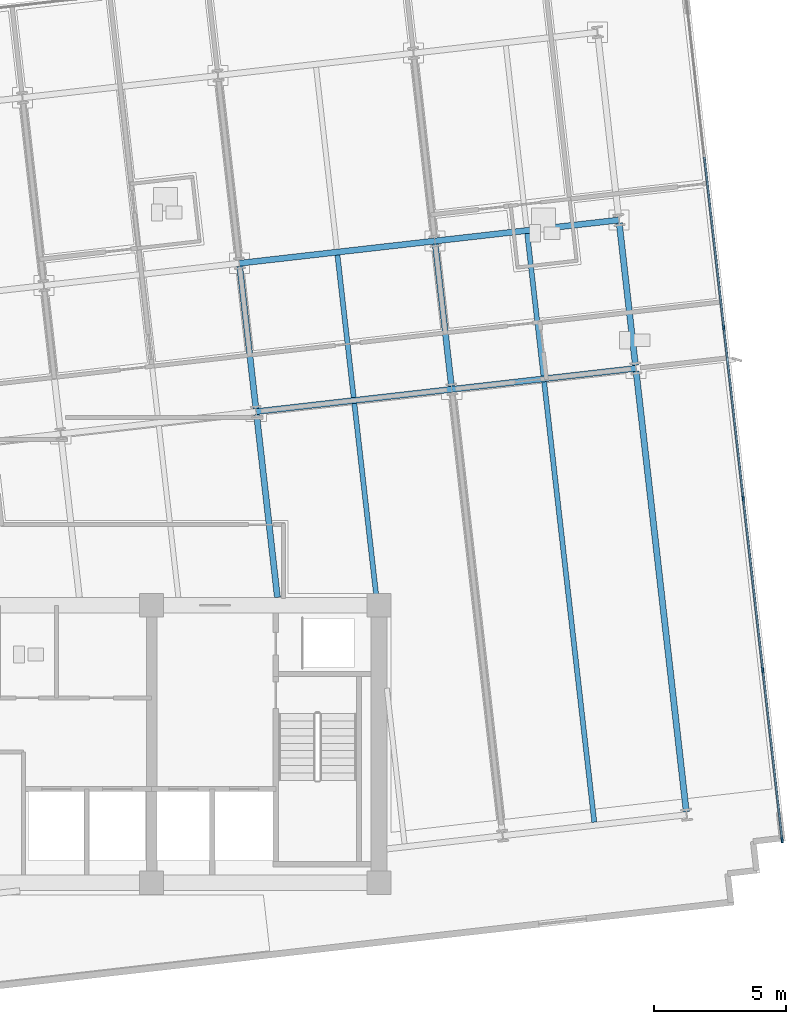
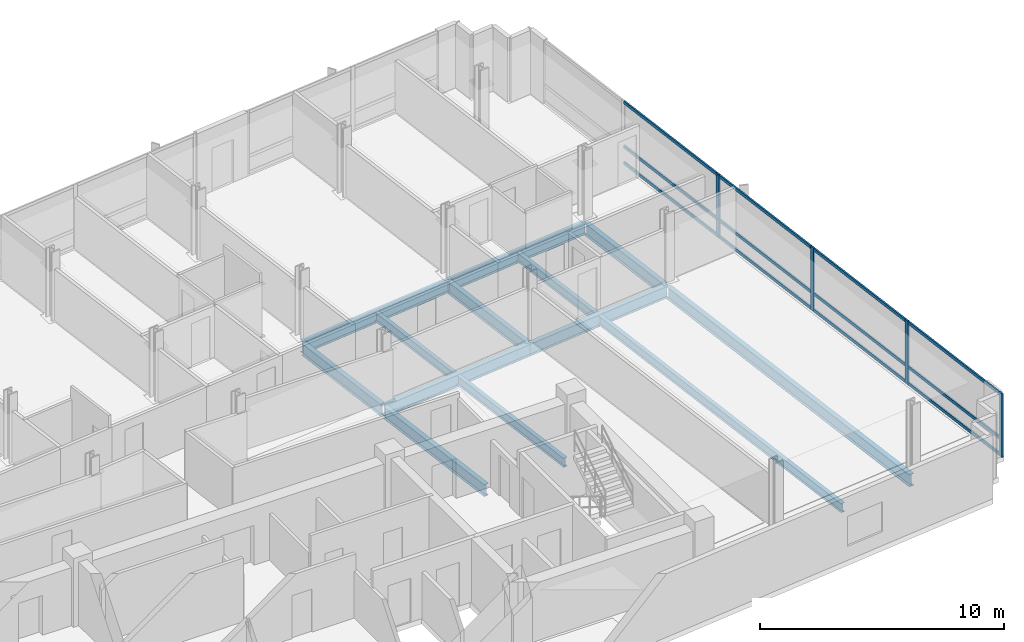
# One storey, part 4 of 16: 16 members, 13 beams, 1 element without a shape of its own.
"""IFC4 building model written with IfcOpenShell, lengths in metres."""

from ifc_helpers import new_model, si_unit, direction, frame, origin, origin_2d, place, context, subcontext, project, spatial, rectangle, i_section, extrude, material, material_profile, profile_set, type_object, element, aggregate, save


model = new_model("IFC4")

# Units and contexts
model_context = context("Model", 3, precision=1e-05, world=origin(), true_north=direction((0.0, 1.0)))
body_context = subcontext(model_context, "Body", "Model", "MODEL_VIEW")
ifc_project = project(units=[si_unit("LENGTHUNIT", "METRE"), si_unit("AREAUNIT", "SQUARE_METRE"), si_unit("VOLUMEUNIT", "CUBIC_METRE"), si_unit("PLANEANGLEUNIT", "RADIAN"), si_unit("MASSUNIT", "GRAM", prefix="KILO")], contexts=[model_context])

# Site, building, storey
site_placement = place(None, origin())
site = spatial("IfcSite", under=ifc_project, at=site_placement, CompositionType="ELEMENT")
building_placement = place(site_placement, origin())
building = spatial("IfcBuilding", under=site, at=building_placement, Name="Solmavex Isthmus Hotel", CompositionType="ELEMENT")
storey_placement = place(building_placement, frame((0.0, 0.0, 208.949951171875)))
storey = spatial("IfcBuildingStorey", under=building, at=storey_placement, Name="L56", CompositionType="ELEMENT", Elevation=208.949951171875)

# Beams
ifc_material_1 = material(Name="Steel ASTM A992 Grade 50", Category="steel")
ifc_material_profile_1 = material_profile(ifc_material_1, i_section(OverallWidth=0.1904296875, OverallDepth=0.456787109375, WebThickness=0.009033203125, FlangeThickness=0.014404296875, FilletRadius=0.0126953125, at=origin_2d()), Name="W18X50")
ifc_profile_set_1 = profile_set([ifc_material_profile_1], Name="Steel ASTM A992 Grade 50")
beam_type_1 = type_object("IfcBeamType", Name="BM-BJ-W18X50", PredefinedType="JOIST", material=ifc_profile_set_1)
beam_1_placement = place(storey_placement, frame((15.908447265625, -2.199951171875, -0.48828125), z_axis=(-0.113224925382, 0.99356938171, 0.0), x_axis=(-0.99356938171, -0.113224925382, 0.0)))
element("IfcBeam", 1, at=beam_1_placement, inside=storey, type_object=beam_type_1, Name="Secondary Floor Joist L56-J16", PredefinedType="JOIST", context=body_context, shape_type="SweptSolid", body=[
    extrude(i_section(OverallWidth=0.1904296875, OverallDepth=0.456787109375, WebThickness=0.009033203125, FlangeThickness=0.014404296875, FilletRadius=0.0126953125, at=origin_2d()), origin(), (0.0, 0.0, 1.0), 7.38525390625),
])
beam_2_placement = place(storey_placement, frame((15.046630859375, 5.364013671875, -0.48828125), z_axis=(-0.113189626161, 0.993573403695, 0.0), x_axis=(-0.993573403695, -0.113189626161, 0.0)))
element("IfcBeam", 2, at=beam_2_placement, inside=storey, type_object=beam_type_1, Name="Secondary Floor Joist L56-J17", PredefinedType="JOIST", context=body_context, shape_type="SweptSolid", body=[
    extrude(i_section(OverallWidth=0.1904296875, OverallDepth=0.456787109375, WebThickness=0.009033203125, FlangeThickness=0.014404296875, FilletRadius=0.0126953125, at=origin_2d()), origin(), (0.0, 0.0, 1.0), 5.42041015625),
])
beam_3_placement = place(storey_placement, frame((24.1513671875, -10.707275390625, -0.48828125), z_axis=(-0.113198426291, 0.993572401129, 0.0), x_axis=(-0.993572401129, -0.113198426291, 0.0)))
element("IfcBeam", 3, at=beam_3_placement, inside=storey, type_object=beam_type_1, Name="Secondary Floor Joist L56-J19", PredefinedType="JOIST", context=body_context, shape_type="SweptSolid", body=[
    extrude(i_section(OverallWidth=0.1904296875, OverallDepth=0.456787109375, WebThickness=0.009033203125, FlangeThickness=0.014404296875, FilletRadius=0.0126953125, at=origin_2d()), origin(), (0.0, 0.0, 1.0), 16.77099609375),
])
beam_4_placement = place(storey_placement, frame((22.22705078125, 6.18212890625, -0.48828125), z_axis=(-0.113189626161, 0.993573403695, 0.0), x_axis=(-0.993573403695, -0.113189626161, 0.0)))
element("IfcBeam", 4, at=beam_4_placement, inside=storey, type_object=beam_type_1, Name="Secondary Floor Joist L56-J20", PredefinedType="JOIST", context=body_context, shape_type="SweptSolid", body=[
    extrude(i_section(OverallWidth=0.1904296875, OverallDepth=0.456787109375, WebThickness=0.009033203125, FlangeThickness=0.014404296875, FilletRadius=0.0126953125, at=origin_2d()), origin(), (0.0, 0.0, 1.0), 5.42041015625),
])
ifc_material_profile_2 = material_profile(ifc_material_1, i_section(OverallWidth=0.227783203125, OverallDepth=0.602783203125, WebThickness=0.010498046875, FlangeThickness=0.014892578125, FilletRadius=0.01513671875, at=origin_2d()), Name="W24X68")
ifc_profile_set_2 = profile_set([ifc_material_profile_2], Name="Steel ASTM A992 Grade 50")
beam_type_2 = type_object("IfcBeamType", Name="BM-BM-W24X68", PredefinedType="BEAM", material=ifc_profile_set_2)
beam_5_placement = place(storey_placement, frame((11.3603515625, 4.829345703125, -0.561279296875), z_axis=(0.9935703463, 0.113216460607, 0.0), x_axis=(-0.113216460607, 0.9935703463, 0.0)))
element("IfcBeam", 5, at=beam_5_placement, inside=storey, type_object=beam_type_2, Name="Floor Girder L56-UG10", PredefinedType="BEAM", context=body_context, shape_type="SweptSolid", body=[
    extrude(i_section(OverallWidth=0.227783203125, OverallDepth=0.602783203125, WebThickness=0.010498046875, FlangeThickness=0.014892578125, FilletRadius=0.01513671875, at=origin_2d()), origin(), (0.0, 0.0, 1.0), 7.446044921875),
])
beam_6_placement = place(storey_placement, frame((18.758544921875, 5.67236328125, -0.561279296875), z_axis=(0.99357359356, 0.113187959519, 0.0), x_axis=(-0.113187959519, 0.99357359356, 0.0)))
element("IfcBeam", 6, at=beam_6_placement, inside=storey, type_object=beam_type_2, Name="Floor Girder L56-UG11", PredefinedType="BEAM", context=body_context, shape_type="SweptSolid", body=[
    extrude(i_section(OverallWidth=0.227783203125, OverallDepth=0.602783203125, WebThickness=0.010498046875, FlangeThickness=0.014892578125, FilletRadius=0.01513671875, at=origin_2d()), origin(), (0.0, 0.0, 1.0), 7.0078125),
])
beam_7_placement = place(storey_placement, frame((10.720947265625, 10.441162109375, -0.561279296875), z_axis=(0.993574034044, 0.113184092846, 0.0), x_axis=(-0.113184092846, 0.993574034044, 0.0)))
element("IfcBeam", 7, at=beam_7_placement, inside=storey, type_object=beam_type_2, Name="Floor Girder L56-UG16", PredefinedType="BEAM", context=body_context, shape_type="SweptSolid", body=[
    extrude(i_section(OverallWidth=0.227783203125, OverallDepth=0.602783203125, WebThickness=0.010498046875, FlangeThickness=0.014892578125, FilletRadius=0.01513671875, at=origin_2d()), origin(), (0.0, 0.0, 1.0), 7.446044921875),
])
beam_8_placement = place(storey_placement, frame((18.119140625, 11.283935546875, -0.561279296875), z_axis=(0.993569675103, 0.113222350774, 0.0), x_axis=(-0.113222350774, 0.993569675103, 0.0)))
element("IfcBeam", 8, at=beam_8_placement, inside=storey, type_object=beam_type_2, Name="Floor Girder L56-UG17", PredefinedType="BEAM", context=body_context, shape_type="SweptSolid", body=[
    extrude(i_section(OverallWidth=0.227783203125, OverallDepth=0.602783203125, WebThickness=0.010498046875, FlangeThickness=0.014892578125, FilletRadius=0.01513671875, at=origin_2d()), origin(), (0.0, 0.0, 1.0), 7.008056640625),
])
beam_9_placement = place(storey_placement, frame((12.161376953125, -2.199951171875, -0.561279296875), z_axis=(-0.113214229187, 0.993570600566, 0.0), x_axis=(-0.993570600566, -0.113214229187, 0.0)))
element("IfcBeam", 9, at=beam_9_placement, inside=storey, type_object=beam_type_2, Name="Floor Beam L56-VG37", PredefinedType="BEAM", context=body_context, shape_type="SweptSolid", body=[
    extrude(i_section(OverallWidth=0.227783203125, OverallDepth=0.602783203125, WebThickness=0.010498046875, FlangeThickness=0.014892578125, FilletRadius=0.01513671875, at=origin_2d()), origin(), (0.0, 0.0, 1.0), 6.9609375),
])
beam_10_placement = place(storey_placement, frame((11.347412109375, 4.942626953125, -0.561279296875), z_axis=(-0.113194691868, 0.993572826587, 0.0), x_axis=(-0.993572826587, -0.113194691868, 0.0)))
element("IfcBeam", 10, at=beam_10_placement, inside=storey, type_object=beam_type_2, Name="Floor Beam L56-VG38", PredefinedType="BEAM", context=body_context, shape_type="SweptSolid", body=[
    extrude(i_section(OverallWidth=0.227783203125, OverallDepth=0.602783203125, WebThickness=0.010498046875, FlangeThickness=0.014892578125, FilletRadius=0.01513671875, at=origin_2d()), origin(), (0.0, 0.0, 1.0), 5.420166015625),
])
beam_11_placement = place(storey_placement, frame((18.74560546875, 5.785400390625, -0.561279296875), z_axis=(-0.113189626161, 0.993573403695, 0.0), x_axis=(-0.993573403695, -0.113189626161, 0.0)))
element("IfcBeam", 11, at=beam_11_placement, inside=storey, type_object=beam_type_2, Name="Floor Beam L56-VG41", PredefinedType="BEAM", context=body_context, shape_type="SweptSolid", body=[
    extrude(i_section(OverallWidth=0.227783203125, OverallDepth=0.602783203125, WebThickness=0.010498046875, FlangeThickness=0.014892578125, FilletRadius=0.01513671875, at=origin_2d()), origin(), (0.0, 0.0, 1.0), 5.42041015625),
])
ifc_material_profile_3 = material_profile(ifc_material_1, i_section(OverallWidth=0.230224609375, OverallDepth=0.617431640625, WebThickness=0.01318359375, FlangeThickness=0.022216796875, FilletRadius=0.01513671875, at=origin_2d()), Name="W24X94")
ifc_profile_set_3 = profile_set([ifc_material_profile_3], Name="Steel ASTM A992 Grade 50")
beam_type_3 = type_object("IfcBeamType", Name="BM-SP-W24X94", PredefinedType="SPANDREL", material=ifc_profile_set_3)
beam_12_placement = place(storey_placement, frame((27.6328125, -10.310546875, -0.568603515625), z_axis=(-0.113198426291, 0.993572401129, 0.0), x_axis=(-0.993572401129, -0.113198426291, 0.0)))
element("IfcBeam", 12, at=beam_12_placement, inside=storey, type_object=beam_type_3, Name="Floor Beam L56-VG43", PredefinedType="SPANDREL", context=body_context, shape_type="SweptSolid", body=[
    extrude(i_section(OverallWidth=0.230224609375, OverallDepth=0.617431640625, WebThickness=0.01318359375, FlangeThickness=0.022216796875, FilletRadius=0.01513671875, at=origin_2d()), origin(), (0.0, 0.0, 1.0), 16.77099609375),
])
beam_13_placement = place(storey_placement, frame((25.70849609375, 6.578857421875, -0.568603515625), z_axis=(-0.113194691868, 0.993572826587, 0.0), x_axis=(-0.993572826587, -0.113194691868, 0.0)))
element("IfcBeam", 13, at=beam_13_placement, inside=storey, type_object=beam_type_3, Name="Floor Beam L56-VG44", PredefinedType="SPANDREL", context=body_context, shape_type="SweptSolid", body=[
    extrude(i_section(OverallWidth=0.230224609375, OverallDepth=0.617431640625, WebThickness=0.01318359375, FlangeThickness=0.022216796875, FilletRadius=0.01513671875, at=origin_2d()), origin(), (0.0, 0.0, 1.0), 5.420166015625),
])

# Curtain wall, members
ifc_material_2 = material(Name="Aluminium alloy 6063-T6", Category="aluminium")
curtain_wall_type = type_object("IfcCurtainWallType", Name="CW-SYS-04", PredefinedType="NOTDEFINED", material=ifc_material_2)
curtain_wall_placement = place(storey_placement, origin())
curtain_wall = element("IfcCurtainWall", 14, at=curtain_wall_placement, inside=storey, type_object=curtain_wall_type, Name="Stick Curtain Wall CWL-L56-E1", PredefinedType="NOTDEFINED")
ifc_material_profile_4 = material_profile(ifc_material_2, rectangle(XDim=0.074951171875, YDim=0.199951171875, at=origin_2d()), Name="CWM-75X200")
ifc_profile_set_4 = profile_set([ifc_material_profile_4], Name="Aluminium alloy 6063-T6")
member_type_1 = type_object("IfcMemberType", Name="CW-SYS-04-MUL", PredefinedType="MULLION", material=ifc_profile_set_4)
member_1_placement = place(storey_placement, frame((31.2578125, -11.384765625, 0.0), z_axis=(0.0, 0.0, 1.0), x_axis=(-0.993571836648, -0.11320338078, 0.0)))
member_1 = element("IfcMember", 15, at=member_1_placement, type_object=member_type_1, Name="CW-04 mullion 1", PredefinedType="MULLION", context=body_context, shape_type="SweptSolid", body=[
    extrude(rectangle(XDim=0.074951171875, YDim=0.199951171875, at=origin_2d()), origin(), (0.0, 0.0, 1.0), 3.18994140625),
])
member_2_placement = place(storey_placement, frame((30.52392578125, -4.944091796875, 0.0), z_axis=(0.0, 0.0, 1.0), x_axis=(-0.993571836648, -0.11320338078, 0.0)))
member_2 = element("IfcMember", 16, at=member_2_placement, type_object=member_type_1, Name="CW-04 mullion 2", PredefinedType="MULLION", context=body_context, shape_type="SweptSolid", body=[
    extrude(rectangle(XDim=0.074951171875, YDim=0.199951171875, at=origin_2d()), origin(), (0.0, 0.0, 1.0), 3.18994140625),
])
member_3_placement = place(storey_placement, frame((29.785888671875, 1.533935546875, 0.0), z_axis=(0.0, 0.0, 1.0), x_axis=(-0.993571836648, -0.11320338078, 0.0)))
member_3 = element("IfcMember", 17, at=member_3_placement, type_object=member_type_1, Name="CW-04 mullion 3", PredefinedType="MULLION", context=body_context, shape_type="SweptSolid", body=[
    extrude(rectangle(XDim=0.074951171875, YDim=0.199951171875, at=origin_2d()), origin(), (0.0, 0.0, 1.0), 3.18994140625),
])
member_4_placement = place(storey_placement, frame((29.0478515625, 8.01220703125, 0.0), z_axis=(0.0, 0.0, 1.0), x_axis=(-0.993571836648, -0.11320338078, 0.0)))
member_4 = element("IfcMember", 18, at=member_4_placement, type_object=member_type_1, Name="CW-04 mullion 4", PredefinedType="MULLION", context=body_context, shape_type="SweptSolid", body=[
    extrude(rectangle(XDim=0.074951171875, YDim=0.199951171875, at=origin_2d()), origin(), (0.0, 0.0, 1.0), 3.18994140625),
])
ifc_material_profile_5 = material_profile(ifc_material_2, rectangle(XDim=0.074951171875, YDim=0.14990234375, at=origin_2d()), Name="CWT-75X150")
ifc_profile_set_5 = profile_set([ifc_material_profile_5], Name="Aluminium alloy 6063-T6")
member_type_2 = type_object("IfcMemberType", Name="CW-SYS-04-TRN", PredefinedType="USERDEFINED", material=ifc_profile_set_5)
member_5_placement = place(storey_placement, frame((31.253662109375, -11.34765625, 0.074951171875), z_axis=(-0.113199495412, 0.993572279323, 0.0), x_axis=(-0.993572279323, -0.113199495412, 0.0)))
member_5 = element("IfcMember", 19, at=member_5_placement, type_object=member_type_2, Name="CW-04 transom 1.1", ObjectType="TRANSOM", PredefinedType="USERDEFINED", context=body_context, shape_type="SweptSolid", body=[
    extrude(rectangle(XDim=0.074951171875, YDim=0.14990234375, at=origin_2d()), origin(), (0.0, 0.0, 1.0), 6.40771484375),
])
member_6_placement = place(storey_placement, frame((31.253662109375, -11.34765625, 0.900146484375), z_axis=(-0.113199495412, 0.993572279323, 0.0), x_axis=(-0.993572279323, -0.113199495412, 0.0)))
member_6 = element("IfcMember", 20, at=member_6_placement, type_object=member_type_2, Name="CW-04 transom 1.2", ObjectType="TRANSOM", PredefinedType="USERDEFINED", context=body_context, shape_type="SweptSolid", body=[
    extrude(rectangle(XDim=0.074951171875, YDim=0.14990234375, at=origin_2d()), origin(), (0.0, 0.0, 1.0), 6.40771484375),
])
member_7_placement = place(storey_placement, frame((31.253662109375, -11.34765625, 3.114990234375), z_axis=(-0.113199495412, 0.993572279323, 0.0), x_axis=(-0.993572279323, -0.113199495412, 0.0)))
member_7 = element("IfcMember", 21, at=member_7_placement, type_object=member_type_2, Name="CW-04 transom 1.3", ObjectType="TRANSOM", PredefinedType="USERDEFINED", context=body_context, shape_type="SweptSolid", body=[
    extrude(rectangle(XDim=0.074951171875, YDim=0.14990234375, at=origin_2d()), origin(), (0.0, 0.0, 1.0), 6.40771484375),
])
member_8_placement = place(storey_placement, frame((30.519775390625, -4.90673828125, 0.074951171875), z_axis=(-0.113225012477, 0.993569371785, 0.0), x_axis=(-0.993569371785, -0.113225012477, 0.0)))
member_8 = element("IfcMember", 22, at=member_8_placement, type_object=member_type_2, Name="CW-04 transom 2.1", ObjectType="TRANSOM", PredefinedType="USERDEFINED", context=body_context, shape_type="SweptSolid", body=[
    extrude(rectangle(XDim=0.074951171875, YDim=0.14990234375, at=origin_2d()), origin(), (0.0, 0.0, 1.0), 6.445068359375),
])
member_9_placement = place(storey_placement, frame((30.519775390625, -4.90673828125, 0.900146484375), z_axis=(-0.113225012477, 0.993569371785, 0.0), x_axis=(-0.993569371785, -0.113225012477, 0.0)))
member_9 = element("IfcMember", 23, at=member_9_placement, type_object=member_type_2, Name="CW-04 transom 2.2", ObjectType="TRANSOM", PredefinedType="USERDEFINED", context=body_context, shape_type="SweptSolid", body=[
    extrude(rectangle(XDim=0.074951171875, YDim=0.14990234375, at=origin_2d()), origin(), (0.0, 0.0, 1.0), 6.445068359375),
])
member_10_placement = place(storey_placement, frame((30.519775390625, -4.90673828125, 3.114990234375), z_axis=(-0.113225012477, 0.993569371785, 0.0), x_axis=(-0.993569371785, -0.113225012477, 0.0)))
member_10 = element("IfcMember", 24, at=member_10_placement, type_object=member_type_2, Name="CW-04 transom 2.3", ObjectType="TRANSOM", PredefinedType="USERDEFINED", context=body_context, shape_type="SweptSolid", body=[
    extrude(rectangle(XDim=0.074951171875, YDim=0.14990234375, at=origin_2d()), origin(), (0.0, 0.0, 1.0), 6.445068359375),
])
member_11_placement = place(storey_placement, frame((29.78173828125, 1.5712890625, 0.074951171875), z_axis=(-0.113225012477, 0.993569371785, 0.0), x_axis=(-0.993569371785, -0.113225012477, 0.0)))
member_11 = element("IfcMember", 25, at=member_11_placement, type_object=member_type_2, Name="CW-04 transom 3.1", ObjectType="TRANSOM", PredefinedType="USERDEFINED", context=body_context, shape_type="SweptSolid", body=[
    extrude(rectangle(XDim=0.074951171875, YDim=0.14990234375, at=origin_2d()), origin(), (0.0, 0.0, 1.0), 6.445068359375),
])
member_12_placement = place(storey_placement, frame((29.78173828125, 1.5712890625, 0.900146484375), z_axis=(-0.113225012477, 0.993569371785, 0.0), x_axis=(-0.993569371785, -0.113225012477, 0.0)))
member_12 = element("IfcMember", 26, at=member_12_placement, type_object=member_type_2, Name="CW-04 transom 3.2", ObjectType="TRANSOM", PredefinedType="USERDEFINED", context=body_context, shape_type="SweptSolid", body=[
    extrude(rectangle(XDim=0.074951171875, YDim=0.14990234375, at=origin_2d()), origin(), (0.0, 0.0, 1.0), 6.445068359375),
])
member_13_placement = place(storey_placement, frame((29.78173828125, 1.5712890625, 3.114990234375), z_axis=(-0.113225012477, 0.993569371785, 0.0), x_axis=(-0.993569371785, -0.113225012477, 0.0)))
member_13 = element("IfcMember", 27, at=member_13_placement, type_object=member_type_2, Name="CW-04 transom 3.3", ObjectType="TRANSOM", PredefinedType="USERDEFINED", context=body_context, shape_type="SweptSolid", body=[
    extrude(rectangle(XDim=0.074951171875, YDim=0.14990234375, at=origin_2d()), origin(), (0.0, 0.0, 1.0), 6.445068359375),
])
member_14_placement = place(storey_placement, frame((29.04345703125, 8.04931640625, 0.074951171875), z_axis=(-0.113187617296, 0.993573632546, 0.0), x_axis=(-0.993573632546, -0.113187617296, 0.0)))
member_14 = element("IfcMember", 28, at=member_14_placement, type_object=member_type_2, Name="CW-04 transom 4.1", ObjectType="TRANSOM", PredefinedType="USERDEFINED", context=body_context, shape_type="SweptSolid", body=[
    extrude(rectangle(XDim=0.074951171875, YDim=0.14990234375, at=origin_2d()), origin(), (0.0, 0.0, 1.0), 6.445068359375),
])
member_15_placement = place(storey_placement, frame((29.04345703125, 8.04931640625, 0.900146484375), z_axis=(-0.113187617296, 0.993573632546, 0.0), x_axis=(-0.993573632546, -0.113187617296, 0.0)))
member_15 = element("IfcMember", 29, at=member_15_placement, type_object=member_type_2, Name="CW-04 transom 4.2", ObjectType="TRANSOM", PredefinedType="USERDEFINED", context=body_context, shape_type="SweptSolid", body=[
    extrude(rectangle(XDim=0.074951171875, YDim=0.14990234375, at=origin_2d()), origin(), (0.0, 0.0, 1.0), 6.445068359375),
])
member_16_placement = place(storey_placement, frame((29.04345703125, 8.04931640625, 3.114990234375), z_axis=(-0.113187617296, 0.993573632546, 0.0), x_axis=(-0.993573632546, -0.113187617296, 0.0)))
member_16 = element("IfcMember", 30, at=member_16_placement, type_object=member_type_2, Name="CW-04 transom 4.3", ObjectType="TRANSOM", PredefinedType="USERDEFINED", context=body_context, shape_type="SweptSolid", body=[
    extrude(rectangle(XDim=0.074951171875, YDim=0.14990234375, at=origin_2d()), origin(), (0.0, 0.0, 1.0), 6.445068359375),
])
aggregate(curtain_wall, [member_1, member_2, member_3, member_4, member_5, member_6, member_7, member_8, member_9, member_10, member_11, member_12, member_13, member_14, member_15, member_16])

save(model, "model.ifc")
